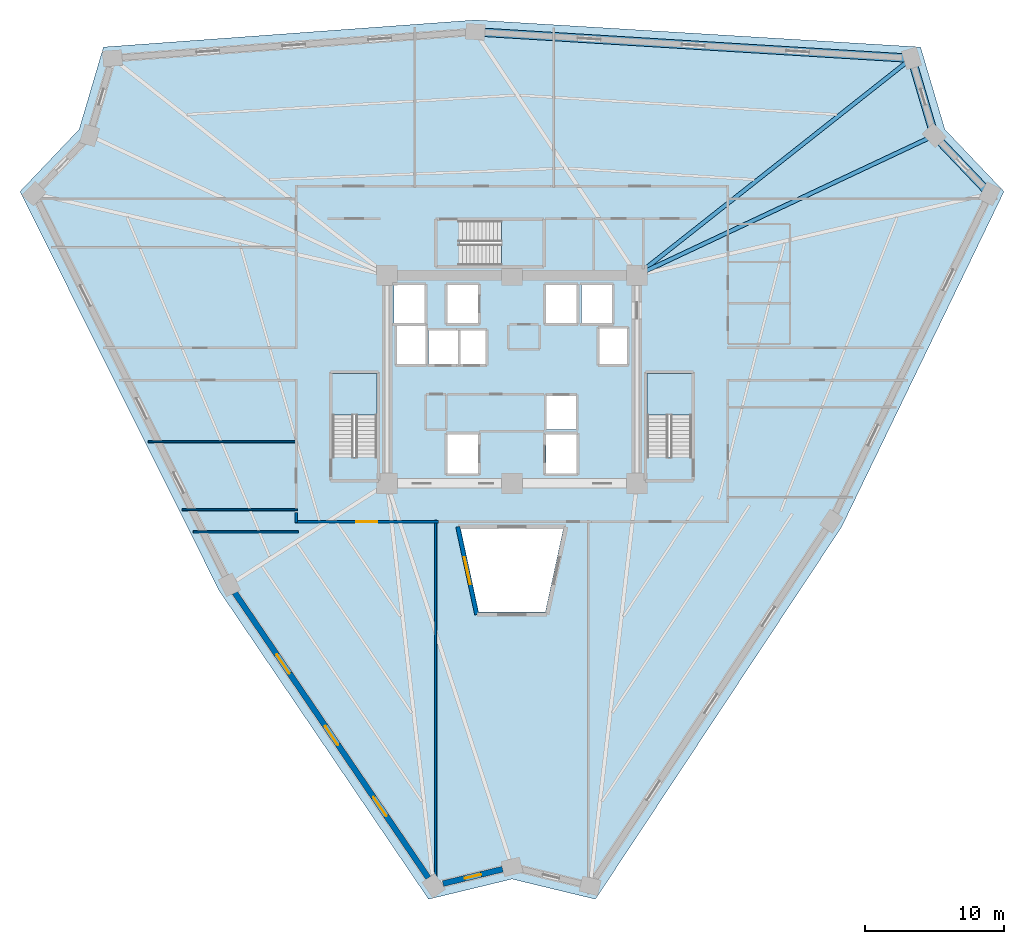
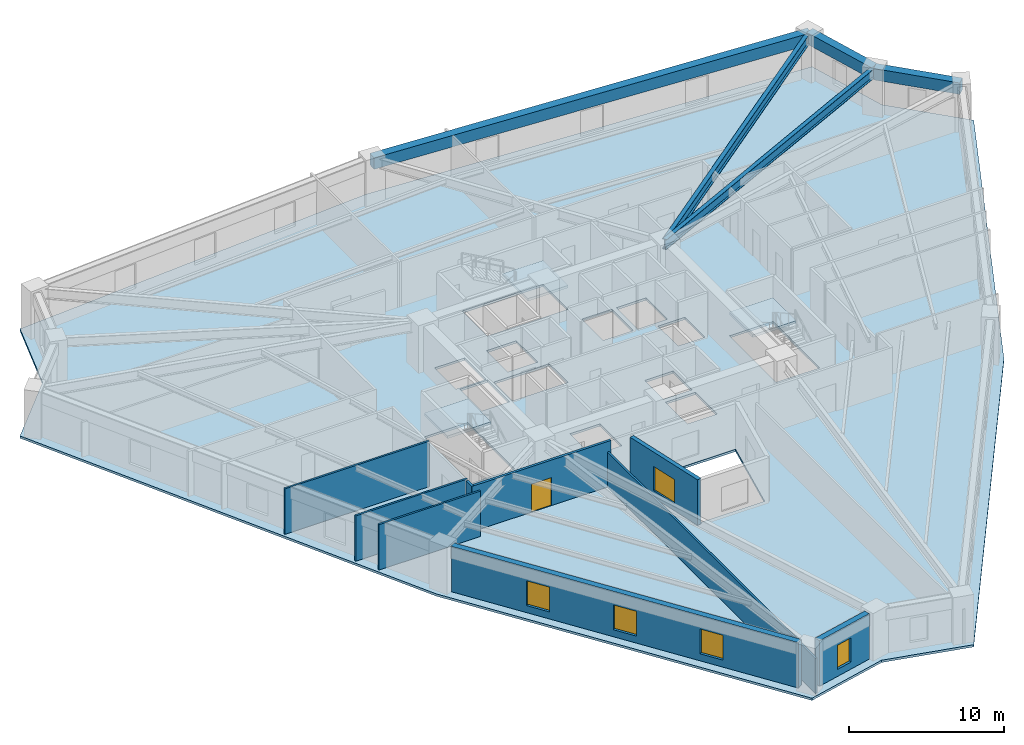
# One storey, part 2 of 8: 9 walls, 5 beams, 5 windows, 4 slabs, 1 door, 6 openings, 3 elements without a shape of their own.
"""IFC4 building model written with IfcOpenShell, lengths in metres."""

from ifc_helpers import new_model, si_unit, direction, frame, frame_2d, origin, origin_2d, place, context, subcontext, project, spatial, polyline, rectangle, i_section, outline, extrude, source, transform, mapped, material, layer, layer_set, material_profile, profile_set, type_object, element, fill, aggregate, save


model = new_model("IFC4")

# Units and contexts
model_context = context("Model", 3, precision=1e-05, world=origin(), true_north=direction((0.0, 1.0)))
body_context = subcontext(model_context, "Body", "Model", "MODEL_VIEW")
ifc_project = project(units=[si_unit("LENGTHUNIT", "METRE"), si_unit("AREAUNIT", "SQUARE_METRE"), si_unit("VOLUMEUNIT", "CUBIC_METRE"), si_unit("PLANEANGLEUNIT", "RADIAN"), si_unit("MASSUNIT", "GRAM", prefix="KILO")], contexts=[model_context])

# Site, building, storey
site_placement = place(None, origin())
site = spatial("IfcSite", under=ifc_project, at=site_placement, CompositionType="ELEMENT")
building_placement = place(site_placement, origin())
building = spatial("IfcBuilding", under=site, at=building_placement, Name="Liaohun Quay Tower", CompositionType="ELEMENT")
storey_placement = place(building_placement, frame((0.0, 0.0, 177.75)))
storey = spatial("IfcBuildingStorey", under=building, at=storey_placement, Name="L46", CompositionType="ELEMENT", Elevation=177.75)

# Beams
ifc_material_1 = material(Name="Steel Q355D", Category="steel")
ifc_material_profile_1 = material_profile(ifc_material_1, i_section(OverallWidth=0.300048828125, OverallDepth=0.75, WebThickness=0.013916015625, FlangeThickness=0.02587890625, at=origin_2d()), Name="HN750x300x14x26")
ifc_profile_set_1 = profile_set([ifc_material_profile_1], Name="Steel Q355D")
beam_type_1 = type_object("IfcBeamType", Name="BM-RAD-M2", PredefinedType="BEAM", material=ifc_profile_set_1)
shared_shape_1 = source(origin(), body_context, "Body", "SweptSolid", [
    extrude(i_section(OverallWidth=0.300048828125, OverallDepth=0.75, WebThickness=0.013916015625, FlangeThickness=0.02587890625, at=origin_2d()), origin(), (0.0, 0.0, 1.0), 23.674072265625),
])
beam_1_placement = place(storey_placement, frame((69.0, 61.5, 3.195068359375), z_axis=(0.905085425075, 0.42522978884, 0.0), x_axis=(-0.42522978884, 0.905085425075, 0.0)))
element("IfcBeam", 1, at=beam_1_placement, inside=storey, type_object=beam_type_1, Name="L46 Radial Primary Girder CC4-PC08", PredefinedType="BEAM", context=body_context, shape_type="MappedRepresentation", body=[
    mapped(shared_shape_1, transform((0.0, 0.0, 0.0), x_axis=(1.0, 0.0, 0.0), y_axis=(0.0, 1.0, 0.0), z_axis=(0.0, 0.0, 1.0), scale=1.0)),
])
ifc_material_profile_2 = material_profile(ifc_material_1, i_section(OverallWidth=0.300048828125, OverallDepth=0.800048828125, WebThickness=0.013916015625, FlangeThickness=0.02587890625, at=origin_2d()), Name="HN800x300x14x26")
ifc_profile_set_2 = profile_set([ifc_material_profile_2], Name="Steel Q355D")
beam_type_2 = type_object("IfcBeamType", Name="BM-RAD-M1", PredefinedType="BEAM", material=ifc_profile_set_2)
shared_shape_2 = source(origin(), body_context, "Body", "SweptSolid", [
    extrude(i_section(OverallWidth=0.300048828125, OverallDepth=0.800048828125, WebThickness=0.013916015625, FlangeThickness=0.02587890625, at=origin_2d()), origin(), (0.0, 0.0, 1.0), 25.212646484375),
])
beam_2_placement = place(storey_placement, frame((69.0, 61.5, 3.169921875), z_axis=(0.784847071692, 0.6196894981, 0.0), x_axis=(-0.6196894981, 0.784847071692, 0.0)))
element("IfcBeam", 2, at=beam_2_placement, inside=storey, type_object=beam_type_2, Name="L46 Radial Primary Girder CC4-PC07", PredefinedType="BEAM", context=body_context, shape_type="MappedRepresentation", body=[
    mapped(shared_shape_2, transform((0.0, 0.0, 0.0), x_axis=(1.0, 0.0, 0.0), y_axis=(0.0, 1.0, 0.0), z_axis=(0.0, 0.0, 1.0), scale=1.0)),
])
ifc_material_2 = material(Name="Precast concrete C55", Category="concrete")
ifc_material_profile_3 = material_profile(ifc_material_2, rectangle(XDim=0.60009765625, YDim=0.89990234375, at=origin_2d()), Name="RC600x900")
ifc_profile_set_3 = profile_set([ifc_material_profile_3], Name="Precast concrete C55")
beam_type_3 = type_object("IfcBeamType", Name="BM-SPD-Z2", PredefinedType="SPANDREL", material=ifc_profile_set_3)
shared_shape_3 = source(origin(), body_context, "Body", "SweptSolid", [
    extrude(rectangle(XDim=0.60009765625, YDim=0.89990234375, at=origin_2d()), origin(), (0.0, 0.0, 1.0), 31.489990234375),
])
beam_3_placement = place(storey_placement, frame((57.35595703125, 79.032958984375, 3.1201171875), z_axis=(0.998160898974, -0.060620291652, 0.0), x_axis=(0.060620291652, 0.998160898974, 0.0)))
element("IfcBeam", 3, at=beam_3_placement, inside=storey, type_object=beam_type_3, Name="L46 Precast Spandrel Beam PC06-PC07", PredefinedType="SPANDREL", context=body_context, shape_type="MappedRepresentation", body=[
    mapped(shared_shape_3, transform((0.0, 0.0, 0.0), x_axis=(1.0, 0.0, 0.0), y_axis=(0.0, 1.0, 0.0), z_axis=(0.0, 0.0, 1.0), scale=1.0)),
])
shared_shape_4 = source(origin(), body_context, "Body", "SweptSolid", [
    extrude(rectangle(XDim=0.60009765625, YDim=0.89990234375, at=origin_2d()), origin(), (0.0, 0.0, 1.0), 5.793701171875),
])
beam_4_placement = place(storey_placement, frame((88.7880859375, 77.1240234375, 3.1201171875), z_axis=(0.282875757191, -0.959156559688, 0.0), x_axis=(0.959156559688, 0.282875757191, 0.0)))
element("IfcBeam", 4, at=beam_4_placement, inside=storey, type_object=beam_type_3, Name="L46 Precast Spandrel Beam PC07-PC08", PredefinedType="SPANDREL", context=body_context, shape_type="MappedRepresentation", body=[
    mapped(shared_shape_4, transform((0.0, 0.0, 0.0), x_axis=(1.0, 0.0, 0.0), y_axis=(0.0, 1.0, 0.0), z_axis=(0.0, 0.0, 1.0), scale=1.0)),
])
shared_shape_5 = source(origin(), body_context, "Body", "SweptSolid", [
    extrude(rectangle(XDim=0.60009765625, YDim=0.89990234375, at=origin_2d()), origin(), (0.0, 0.0, 1.0), 5.800048828125),
])
beam_5_placement = place(storey_placement, frame((90.427001953125, 71.56689453125, 3.1201171875), z_axis=(0.689314548472, -0.724462182081, 0.0), x_axis=(0.724462182081, 0.689314548472, 0.0)))
element("IfcBeam", 5, at=beam_5_placement, inside=storey, type_object=beam_type_3, Name="L46 Precast Spandrel Beam PC08-PC09", PredefinedType="SPANDREL", context=body_context, shape_type="MappedRepresentation", body=[
    mapped(shared_shape_5, transform((0.0, 0.0, 0.0), x_axis=(1.0, 0.0, 0.0), y_axis=(0.0, 1.0, 0.0), z_axis=(0.0, 0.0, 1.0), scale=1.0)),
])

# Stair, slab
ifc_material_3 = material(Name="Concrete C45", Category="concrete")
stair_type = type_object("IfcStairType", Name="STR-CORE-OFF", PredefinedType="HALF_TURN_STAIR", material=ifc_material_3)
stair_1_placement = place(storey_placement, origin())
stair_1 = element("IfcStair", 6, at=stair_1_placement, inside=storey, type_object=stair_type, Name="L46 Smokeproof Core Exit Stair ST-1", PredefinedType="HALF_TURN_STAIR")
ifc_layer_1 = layer(ifc_material_3, 0.199951171875, Name="Concrete C45", Category="concrete")
ifc_layer_set_1 = layer_set([ifc_layer_1], Name="Concrete C45")
slab_type_1 = type_object("IfcSlabType", Name="SLB-LND-200", PredefinedType="LANDING", material=ifc_layer_set_1)
slab_1_placement = place(storey_placement, frame((0.0, 0.0, 1.675048828125)))
slab_1 = element("IfcSlab", 7, at=slab_1_placement, type_object=slab_type_1, Name="ST-1 landing 1", PredefinedType="LANDING", context=body_context, shape_type="SweptSolid", body=[
    extrude(outline(polyline([(50.280029296875, 51.429931640625), (50.280029296875, 54.419921875), (47.0400390625, 54.419921875), (47.0400390625, 51.429931640625), (50.280029296875, 51.429931640625)])), origin(), (0.0, 0.0, 1.0), 0.199951171875),
])
aggregate(stair_1, [slab_1])

stair_2_placement = place(storey_placement, origin())
stair_2 = element("IfcStair", 8, at=stair_2_placement, inside=storey, type_object=stair_type, Name="L46 Smokeproof Core Exit Stair ST-2", PredefinedType="HALF_TURN_STAIR")
slab_2_placement = place(storey_placement, frame((0.0, 0.0, 1.675048828125)))
slab_2 = element("IfcSlab", 9, at=slab_2_placement, type_object=slab_type_1, Name="ST-2 landing 1", PredefinedType="LANDING", context=body_context, shape_type="SweptSolid", body=[
    extrude(outline(polyline([(72.9599609375, 51.429931640625), (72.9599609375, 54.419921875), (69.719970703125, 54.419921875), (69.719970703125, 51.429931640625), (72.9599609375, 51.429931640625)])), origin(), (0.0, 0.0, 1.0), 0.199951171875),
])
aggregate(stair_2, [slab_2])

stair_3_placement = place(storey_placement, origin())
stair_3 = element("IfcStair", 10, at=stair_3_placement, inside=storey, type_object=stair_type, Name="L46 Smokeproof Core Exit Stair ST-3", PredefinedType="HALF_TURN_STAIR")
slab_3_placement = place(storey_placement, frame((0.0, 0.0, 1.675048828125)))
slab_3 = element("IfcSlab", 11, at=slab_3_placement, type_object=slab_type_1, Name="ST-3 landing 1", PredefinedType="LANDING", context=body_context, shape_type="SweptSolid", body=[
    extrude(outline(polyline([(59.22998046875, 62.199951171875), (62.219970703125, 62.199951171875), (62.219970703125, 65.43994140625), (59.22998046875, 65.43994140625), (59.22998046875, 62.199951171875)])), origin(), (0.0, 0.0, 1.0), 0.199951171875),
])
aggregate(stair_3, [slab_3])

# Slab
ifc_layer_2 = layer(ifc_material_3, 0.179931640625, Name="Concrete C45", Category="concrete")
ifc_layer_set_2 = layer_set([ifc_layer_2], Name="Concrete C45")
slab_type_2 = type_object("IfcSlabType", Name="SLB-OFF-180", PredefinedType="FLOOR", material=ifc_layer_set_2)
slab_4_placement = place(storey_placement, frame((0.0, 0.0, -0.179931640625)))
element("IfcSlab", 12, at=slab_4_placement, inside=storey, type_object=slab_type_2, Name="L46 Structural Floor Slab", PredefinedType="FLOOR", context=body_context, shape_type="SweptSolid", body=[
    extrude(outline(polyline([(53.989013671875, 16.5400390625), (60.0, 17.991943359375), (66.010986328125, 16.5400390625), (83.741943359375, 43.35205078125), (95.447021484375, 67.52392578125), (91.18408203125, 72.00390625), (89.43505859375, 77.93603515625), (57.35107421875, 79.885009765625), (30.56494140625, 77.93603515625), (28.81591796875, 72.00390625), (24.552978515625, 67.52392578125), (38.906982421875, 38.762939453125), (53.989013671875, 16.5400390625)]), holes=[polyline([(57.56005859375, 50.030029296875), (55.340087890625, 50.030029296875), (55.340087890625, 47.2099609375), (57.56005859375, 47.2099609375), (57.56005859375, 50.030029296875)]), polyline([(50.280029296875, 54.419921875), (47.0400390625, 54.419921875), (47.0400390625, 48.409912109375), (50.280029296875, 48.409912109375), (50.280029296875, 54.419921875)]), polyline([(53.989990234375, 55.090087890625), (58.110107421875, 55.090087890625), (58.110107421875, 57.510009765625), (53.989990234375, 57.510009765625), (53.989990234375, 55.090087890625)]), polyline([(53.760009765625, 55.090087890625), (53.760009765625, 57.909912109375), (51.7099609375, 57.909912109375), (51.7099609375, 55.090087890625), (53.760009765625, 55.090087890625)]), polyline([(53.7099609375, 58.0400390625), (53.7099609375, 60.7900390625), (51.489990234375, 60.7900390625), (51.489990234375, 58.0400390625), (53.7099609375, 58.0400390625)]), polyline([(57.56005859375, 58.0400390625), (57.56005859375, 60.7900390625), (55.340087890625, 60.7900390625), (55.340087890625, 58.0400390625), (57.56005859375, 58.0400390625)]), polyline([(62.219970703125, 62.199951171875), (62.219970703125, 65.43994140625), (56.2099609375, 65.43994140625), (56.2099609375, 62.199951171875), (62.219970703125, 62.199951171875)]), polyline([(62.402099609375, 37.216064453125), (63.696044921875, 43.199951171875), (56.303955078125, 43.199951171875), (57.597900390625, 37.216064453125), (62.402099609375, 37.216064453125)]), polyline([(64.659912109375, 47.2099609375), (64.659912109375, 50.030029296875), (62.43994140625, 50.030029296875), (62.43994140625, 47.2099609375), (64.659912109375, 47.2099609375)]), polyline([(72.9599609375, 54.419921875), (69.719970703125, 54.419921875), (69.719970703125, 48.409912109375), (72.9599609375, 48.409912109375), (72.9599609375, 54.419921875)]), polyline([(64.610107421875, 50.389892578125), (64.610107421875, 52.81005859375), (62.489990234375, 52.81005859375), (62.489990234375, 50.389892578125), (64.610107421875, 50.389892578125)]), polyline([(68.2900390625, 55.090087890625), (68.2900390625, 57.659912109375), (66.2900390625, 57.659912109375), (66.2900390625, 55.090087890625), (68.2900390625, 55.090087890625)]), polyline([(64.659912109375, 58.0400390625), (64.659912109375, 60.7900390625), (62.43994140625, 60.7900390625), (62.43994140625, 58.0400390625), (64.659912109375, 58.0400390625)]), polyline([(67.2099609375, 58.0400390625), (67.2099609375, 60.7900390625), (64.989990234375, 60.7900390625), (64.989990234375, 58.0400390625), (67.2099609375, 58.0400390625)])]), origin(), (0.0, 0.0, 1.0), 0.179931640625),
])

# Wall, opening, window
ifc_material_4 = material(Name="Concrete C50", Category="concrete")
ifc_layer_3 = layer(ifc_material_4, 0.300048828125, Name="Concrete C50", Category="concrete")
ifc_layer_set_3 = layer_set([ifc_layer_3], Name="Concrete C50")
wall_type_1 = type_object("IfcWallType", Name="WAL-ATR-300", PredefinedType="SOLIDWALL", material=ifc_layer_set_3)
wall_1_placement = place(storey_placement, frame((57.4609375, 37.0458984375, 0.0), z_axis=(0.0, 0.0, 1.0), x_axis=(-0.211409755765, 0.977397521568, 0.0)))
wall_1 = element("IfcWall", 13, at=wall_1_placement, inside=storey, type_object=wall_type_1, Name="L46 Atrium Fire Compartment Wall 1", PredefinedType="SOLIDWALL", context=body_context, shape_type="SweptSolid", body=[
    extrude(rectangle(XDim=6.470458984375, YDim=0.300048828125, at=frame_2d((3.2353515625, 0.0))), origin(), (0.0, 0.0, 1.0), 3.570068359375),
])
shared_shape_6 = source(origin(), body_context, "Body", "SweptSolid", [
    extrude(rectangle(XDim=2.0, YDim=1.89990234375, at=frame_2d((1.0, 0.949951171875))), frame((0.0, 0.159912109375, 0.0), z_axis=(0.0, -1.0, 0.0), x_axis=(1.0, 0.0, 0.0)), (0.0, 0.0, 1.0), 0.320068359375),
])
opening_1_placement = place(wall_1_placement, frame((2.235107421875, 0.0, 0.550048828125)))
opening_1 = element("IfcOpeningElement", 14, at=opening_1_placement, cuts=wall_1, Name="Opening W07", PredefinedType="OPENING", context=body_context, shape_type="MappedRepresentation", body=[
    mapped(shared_shape_6, transform((0.0, 0.0, 0.0), x_axis=(1.0, 0.0, 0.0), y_axis=(0.0, 1.0, 0.0), z_axis=(0.0, 0.0, 1.0), scale=1.0)),
])
ifc_material_5 = material(Name="Class A 180-min fire-resistant insulated glazing", Category="glass")
window_type_1 = type_object("IfcWindowType", Name="WIN-ATR-FIR", PartitioningType="DOUBLE_PANEL_VERTICAL", PredefinedType="WINDOW", material=ifc_material_5)
shared_shape_7 = source(origin(), body_context, "Body", "SweptSolid", [
    extrude(rectangle(XDim=2.0, YDim=1.89990234375, at=frame_2d((1.0, 0.949951171875))), frame((0.0, 0.030029296875, 0.0), z_axis=(0.0, -1.0, 0.0), x_axis=(1.0, 0.0, 0.0)), (0.0, 0.0, 1.0), 0.06005859375),
])
window_1_placement = place(opening_1_placement, origin())
window_1 = element("IfcWindow", 15, at=window_1_placement, inside=storey, type_object=window_type_1, Name="L46 Atrium Fire-Resistant Glazing W07-1", OverallHeight=1.89990234375, OverallWidth=2.0, PartitioningType="DOUBLE_PANEL_VERTICAL", PredefinedType="WINDOW", context=body_context, shape_type="MappedRepresentation", body=[
    mapped(shared_shape_7, transform((0.0, 0.0, 0.0), x_axis=(1.0, 0.0, 0.0), y_axis=(0.0, 1.0, 0.0), z_axis=(0.0, 0.0, 1.0), scale=1.0)),
])
fill(opening_1, window_1)

# Wall, openings, windows
ifc_material_6 = material(Name="Precast concrete C50 insulated sandwich", Category="concrete")
ifc_layer_4 = layer(ifc_material_6, 0.419921875, Name="Precast concrete C50 insulated sandwich", Category="concrete")
ifc_layer_set_4 = layer_set([ifc_layer_4], Name="Precast concrete C50 insulated sandwich")
wall_type_2 = type_object("IfcWallType", Name="WAL-EXT-Z12", PredefinedType="SOLIDWALL", material=ifc_layer_set_4)
wall_2_placement = place(storey_placement, frame((40.029052734375, 38.6220703125, 0.0), z_axis=(0.0, 0.0, 1.0), x_axis=(0.561593975114, -0.827412960447, 0.0)))
wall_2 = element("IfcWall", 16, at=wall_2_placement, inside=storey, type_object=wall_type_2, Name="L46 Brutalist Precast Pier Wall 11", PredefinedType="SOLIDWALL", context=body_context, shape_type="SweptSolid", body=[
    extrude(rectangle(XDim=24.8330078125, YDim=0.419921875, at=frame_2d((12.41650390625, 0.0))), origin(), (0.0, 0.0, 1.0), 3.570068359375),
])
shared_shape_8 = source(origin(), body_context, "Body", "SweptSolid", [
    extrude(rectangle(XDim=1.64990234375, YDim=1.949951171875, at=frame_2d((0.824951171875, 0.97509765625))), frame((0.0, 0.219970703125, 0.0), z_axis=(0.0, -1.0, 0.0), x_axis=(1.0, 0.0, 0.0)), (0.0, 0.0, 1.0), 0.43994140625),
])
opening_2_placement = place(wall_2_placement, frame((5.383056640625, 0.0, 0.550048828125)))
opening_2 = element("IfcOpeningElement", 17, at=opening_2_placement, cuts=wall_2, Name="Opening W02", PredefinedType="OPENING", context=body_context, shape_type="MappedRepresentation", body=[
    mapped(shared_shape_8, transform((0.0, 0.0, 0.0), x_axis=(1.0, 0.0, 0.0), y_axis=(0.0, 1.0, 0.0), z_axis=(0.0, 0.0, 1.0), scale=1.0)),
])
opening_3_placement = place(wall_2_placement, frame((11.591064453125, 0.0, 0.550048828125)))
opening_3 = element("IfcOpeningElement", 18, at=opening_3_placement, cuts=wall_2, Name="Opening W02", PredefinedType="OPENING", context=body_context, shape_type="MappedRepresentation", body=[
    mapped(shared_shape_8, transform((0.0, 0.0, 0.0), x_axis=(1.0, 0.0, 0.0), y_axis=(0.0, 1.0, 0.0), z_axis=(0.0, 0.0, 1.0), scale=1.0)),
])
opening_4_placement = place(wall_2_placement, frame((17.800048828125, 0.0, 0.550048828125)))
opening_4 = element("IfcOpeningElement", 19, at=opening_4_placement, cuts=wall_2, Name="Opening W02", PredefinedType="OPENING", context=body_context, shape_type="MappedRepresentation", body=[
    mapped(shared_shape_8, transform((0.0, 0.0, 0.0), x_axis=(1.0, 0.0, 0.0), y_axis=(0.0, 1.0, 0.0), z_axis=(0.0, 0.0, 1.0), scale=1.0)),
])
ifc_material_7 = material(Name="Triple Low-E argon glazing in thermally broken aluminium", Category="aluminium")
window_type_2 = type_object("IfcWindowType", Name="WIN-PUN-Z2", PartitioningType="DOUBLE_PANEL_VERTICAL", PredefinedType="WINDOW", material=ifc_material_7)
shared_shape_9 = source(origin(), body_context, "Body", "SweptSolid", [
    extrude(rectangle(XDim=1.64990234375, YDim=1.949951171875, at=frame_2d((0.824951171875, 0.97509765625))), frame((0.0, 0.030029296875, 0.0), z_axis=(0.0, -1.0, 0.0), x_axis=(1.0, 0.0, 0.0)), (0.0, 0.0, 1.0), 0.06005859375),
])
window_2_placement = place(opening_2_placement, origin())
window_2 = element("IfcWindow", 20, at=window_2_placement, inside=storey, type_object=window_type_2, Name="L46 Recessed Cold-Climate Punched Window 11-1", OverallHeight=1.949951171875, OverallWidth=1.64990234375, PartitioningType="DOUBLE_PANEL_VERTICAL", PredefinedType="WINDOW", context=body_context, shape_type="MappedRepresentation", body=[
    mapped(shared_shape_9, transform((0.0, 0.0, 0.0), x_axis=(1.0, 0.0, 0.0), y_axis=(0.0, 1.0, 0.0), z_axis=(0.0, 0.0, 1.0), scale=1.0)),
])
fill(opening_2, window_2)
window_3_placement = place(opening_3_placement, origin())
window_3 = element("IfcWindow", 21, at=window_3_placement, inside=storey, type_object=window_type_2, Name="L46 Recessed Cold-Climate Punched Window 11-2", OverallHeight=1.949951171875, OverallWidth=1.64990234375, PartitioningType="DOUBLE_PANEL_VERTICAL", PredefinedType="WINDOW", context=body_context, shape_type="MappedRepresentation", body=[
    mapped(shared_shape_9, transform((0.0, 0.0, 0.0), x_axis=(1.0, 0.0, 0.0), y_axis=(0.0, 1.0, 0.0), z_axis=(0.0, 0.0, 1.0), scale=1.0)),
])
fill(opening_3, window_3)
window_4_placement = place(opening_4_placement, origin())
window_4 = element("IfcWindow", 22, at=window_4_placement, inside=storey, type_object=window_type_2, Name="L46 Recessed Cold-Climate Punched Window 11-3", OverallHeight=1.949951171875, OverallWidth=1.64990234375, PartitioningType="DOUBLE_PANEL_VERTICAL", PredefinedType="WINDOW", context=body_context, shape_type="MappedRepresentation", body=[
    mapped(shared_shape_9, transform((0.0, 0.0, 0.0), x_axis=(1.0, 0.0, 0.0), y_axis=(0.0, 1.0, 0.0), z_axis=(0.0, 0.0, 1.0), scale=1.0)),
])
fill(opening_4, window_4)

# Wall, opening, window
wall_3_placement = place(storey_placement, frame((55.032958984375, 17.666015625, 0.0), z_axis=(0.0, 0.0, 1.0), x_axis=(0.972026135821, 0.234872712935, 0.0)))
wall_3 = element("IfcWall", 23, at=wall_3_placement, inside=storey, type_object=wall_type_2, Name="L46 Brutalist Precast Pier Wall 12", PredefinedType="SOLIDWALL", context=body_context, shape_type="SweptSolid", body=[
    extrude(rectangle(XDim=4.419677734375, YDim=0.419921875, at=frame_2d((2.2099609375, 0.0))), origin(), (0.0, 0.0, 1.0), 3.570068359375),
])
shared_shape_10 = source(origin(), body_context, "Body", "SweptSolid", [
    extrude(rectangle(XDim=1.199951171875, YDim=1.89990234375, at=frame_2d((0.60009765625, 0.949951171875))), frame((0.0, 0.219970703125, 0.0), z_axis=(0.0, -1.0, 0.0), x_axis=(1.0, 0.0, 0.0)), (0.0, 0.0, 1.0), 0.43994140625),
])
opening_5_placement = place(wall_3_placement, frame((1.610107421875, 0.0, 0.550048828125)))
opening_5 = element("IfcOpeningElement", 24, at=opening_5_placement, cuts=wall_3, Name="Opening W05", PredefinedType="OPENING", context=body_context, shape_type="MappedRepresentation", body=[
    mapped(shared_shape_10, transform((0.0, 0.0, 0.0), x_axis=(1.0, 0.0, 0.0), y_axis=(0.0, 1.0, 0.0), z_axis=(0.0, 0.0, 1.0), scale=1.0)),
])
ifc_material_8 = material(Name="Triple Low-E corner notch glazing", Category="glass")
window_type_3 = type_object("IfcWindowType", Name="WIN-NOTCH", PartitioningType="SINGLE_PANEL", PredefinedType="WINDOW", material=ifc_material_8)
shared_shape_11 = source(origin(), body_context, "Body", "SweptSolid", [
    extrude(rectangle(XDim=1.199951171875, YDim=1.89990234375, at=frame_2d((0.60009765625, 0.949951171875))), frame((0.0, 0.030029296875, 0.0), z_axis=(0.0, -1.0, 0.0), x_axis=(1.0, 0.0, 0.0)), (0.0, 0.0, 1.0), 0.06005859375),
])
window_5_placement = place(opening_5_placement, origin())
window_5 = element("IfcWindow", 25, at=window_5_placement, inside=storey, type_object=window_type_3, Name="L46 Corner Notch Window W05-12", OverallHeight=1.89990234375, OverallWidth=1.199951171875, PartitioningType="SINGLE_PANEL", PredefinedType="WINDOW", context=body_context, shape_type="MappedRepresentation", body=[
    mapped(shared_shape_11, transform((0.0, 0.0, 0.0), x_axis=(1.0, 0.0, 0.0), y_axis=(0.0, 1.0, 0.0), z_axis=(0.0, 0.0, 1.0), scale=1.0)),
])
fill(opening_5, window_5)

# Wall, opening, door
ifc_material_9 = material(Name="Autoclaved aerated concrete blockwork", Category="masonry")
ifc_layer_5 = layer(ifc_material_9, 0.179931640625, Name="Autoclaved aerated concrete blockwork", Category="masonry")
ifc_layer_set_5 = layer_set([ifc_layer_5], Name="Autoclaved aerated concrete blockwork")
wall_type_3 = type_object("IfcWallType", Name="WAL-PRT-COR", PredefinedType="PARTITIONING", material=ifc_layer_set_5)
wall_4_placement = place(storey_placement, frame((54.715087890625, 43.739990234375, 0.0), z_axis=(0.0, 0.0, 1.0), x_axis=(-1.0, 0.0, 0.0)))
wall_4 = element("IfcWall", 26, at=wall_4_placement, inside=storey, type_object=wall_type_3, Name="L46 Interior Partition Wall 019", PredefinedType="PARTITIONING", context=body_context, shape_type="SweptSolid", body=[
    extrude(rectangle(XDim=10.344970703125, YDim=0.179931640625, at=frame_2d((5.17236328125, 0.0))), origin(), (0.0, 0.0, 1.0), 3.570068359375),
])
shared_shape_12 = source(origin(), body_context, "Body", "SweptSolid", [
    extrude(rectangle(XDim=1.5, YDim=2.199951171875, at=frame_2d((0.75, 1.10009765625))), frame((0.0, 0.099853515625, 0.0), z_axis=(0.0, -1.0, 0.0), x_axis=(1.0, 0.0, 0.0)), (0.0, 0.0, 1.0), 0.199951171875),
])
opening_6_placement = place(wall_4_placement, frame((4.423095703125, 0.0, 0.0)))
opening_6 = element("IfcOpeningElement", 27, at=opening_6_placement, cuts=wall_4, Name="Opening OD2", PredefinedType="OPENING", context=body_context, shape_type="MappedRepresentation", body=[
    mapped(shared_shape_12, transform((0.0, 0.0, 0.0), x_axis=(1.0, 0.0, 0.0), y_axis=(0.0, 1.0, 0.0), z_axis=(0.0, 0.0, 1.0), scale=1.0)),
])
ifc_material_10 = material(Name="Acoustic oak veneer double door")
door_type = type_object("IfcDoorType", Name="DOR-OFF-1500", OperationType="DOUBLE_DOOR_SINGLE_SWING", PredefinedType="DOOR", material=ifc_material_10)
shared_shape_13 = source(origin(), body_context, "Body", "SweptSolid", [
    extrude(rectangle(XDim=1.5, YDim=2.199951171875, at=frame_2d((0.75, 1.10009765625))), frame((0.0, 0.02490234375, 0.0), z_axis=(0.0, -1.0, 0.0), x_axis=(1.0, 0.0, 0.0)), (0.0, 0.0, 1.0), 0.050048828125),
])
door_placement = place(opening_6_placement, origin())
door = element("IfcDoor", 28, at=door_placement, inside=storey, type_object=door_type, Name="L46 Records Archive Store 09 Door", OperationType="DOUBLE_DOOR_SINGLE_SWING", OverallHeight=2.199951171875, OverallWidth=1.5, PredefinedType="DOOR", context=body_context, shape_type="MappedRepresentation", body=[
    mapped(shared_shape_13, transform((0.0, 0.0, 0.0), x_axis=(1.0, 0.0, 0.0), y_axis=(0.0, 1.0, 0.0), z_axis=(0.0, 0.0, 1.0), scale=1.0)),
])
fill(opening_6, door)

# Walls
wall_5_placement = place(storey_placement, frame((44.43994140625, 43.669921875, 0.0), z_axis=(0.0, 0.0, 1.0), x_axis=(0.0, 1.0, 0.0)))
element("IfcWall", 29, at=wall_5_placement, inside=storey, type_object=wall_type_3, Name="L46 Interior Partition Wall 042", PredefinedType="PARTITIONING", context=body_context, shape_type="SweptSolid", body=[
    extrude(rectangle(XDim=0.715087890625, YDim=0.179931640625, at=frame_2d((0.357421875, 0.0))), origin(), (0.0, 0.0, 1.0), 3.570068359375),
])
ifc_material_11 = material(Name="Gypsum board on twin steel studs", Category="steel")
ifc_layer_6 = layer(ifc_material_11, 0.139892578125, Name="Gypsum board on twin steel studs", Category="steel")
ifc_layer_set_6 = layer_set([ifc_layer_6], Name="Gypsum board on twin steel studs")
wall_type_4 = type_object("IfcWallType", Name="WAL-PRT-OFF", PredefinedType="PARTITIONING", material=ifc_layer_set_6)
wall_6_placement = place(storey_placement, frame((44.60009765625, 43.0, 0.0), z_axis=(0.0, 0.0, 1.0), x_axis=(-1.0, 0.0, 0.0)))
element("IfcWall", 30, at=wall_6_placement, inside=storey, type_object=wall_type_4, Name="L46 Interior Partition Wall 045", PredefinedType="PARTITIONING", context=body_context, shape_type="SweptSolid", body=[
    extrude(rectangle(XDim=7.56201171875, YDim=0.139892578125, at=frame_2d((3.781005859375, 0.0))), origin(), (0.0, 0.0, 1.0), 3.570068359375),
])
wall_7_placement = place(storey_placement, frame((44.5400390625, 44.60009765625, 0.0), z_axis=(0.0, 0.0, 1.0), x_axis=(-1.0, 0.0, 0.0)))
element("IfcWall", 31, at=wall_7_placement, inside=storey, type_object=wall_type_4, Name="L46 Interior Partition Wall 046", PredefinedType="PARTITIONING", context=body_context, shape_type="SweptSolid", body=[
    extrude(rectangle(XDim=8.300048828125, YDim=0.139892578125, at=frame_2d((4.14990234375, 0.0))), origin(), (0.0, 0.0, 1.0), 3.570068359375),
])
wall_8_placement = place(storey_placement, frame((44.5400390625, 49.5, 0.0), z_axis=(0.0, 0.0, 1.0), x_axis=(-1.0, 0.0, 0.0)))
element("IfcWall", 32, at=wall_8_placement, inside=storey, type_object=wall_type_4, Name="L46 Interior Partition Wall 047", PredefinedType="PARTITIONING", context=body_context, shape_type="SweptSolid", body=[
    extrude(rectangle(XDim=10.74609375, YDim=0.139892578125, at=frame_2d((5.373046875, 0.0))), origin(), (0.0, 0.0, 1.0), 3.570068359375),
])
wall_9_placement = place(storey_placement, frame((54.5, 43.840087890625, 0.0), z_axis=(0.0, 0.0, 1.0), x_axis=(0.0, -1.0, 0.0)))
element("IfcWall", 33, at=wall_9_placement, inside=storey, type_object=wall_type_4, Name="L46 Interior Partition Wall 055", PredefinedType="PARTITIONING", context=body_context, shape_type="SweptSolid", body=[
    extrude(rectangle(XDim=26.9501953125, YDim=0.139892578125, at=frame_2d((13.47509765625, 0.0))), origin(), (0.0, 0.0, 1.0), 2.7548828125),
])

save(model, "model.ifc")
